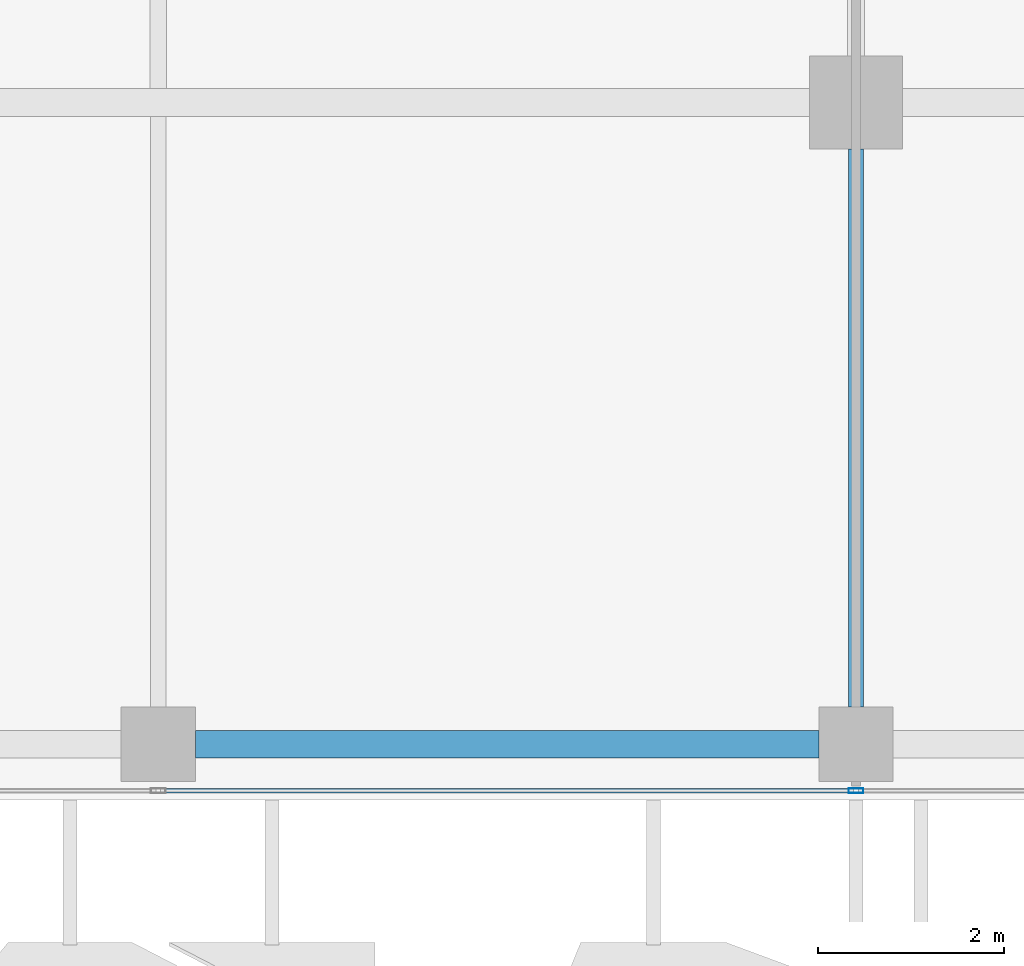
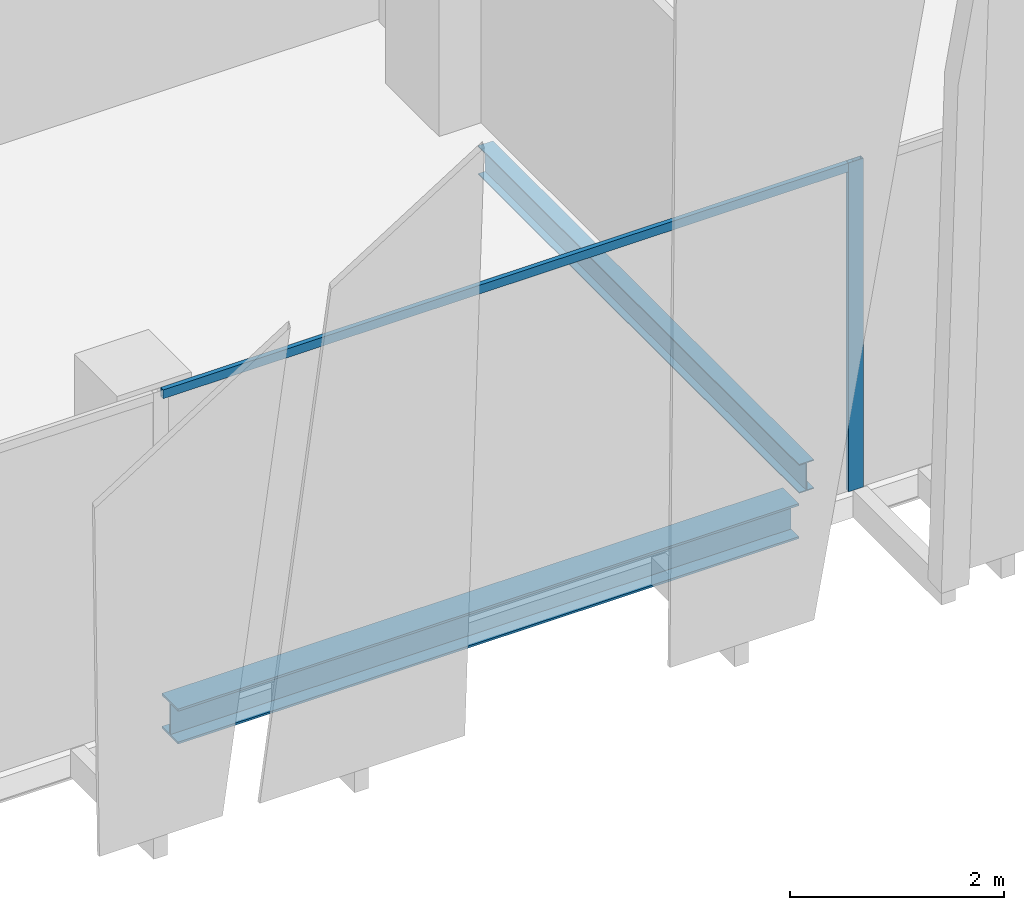
# One storey, part 6 of 33: 2 beams, 2 members, 1 element without a shape of its own.
"""IFC4 building model written with IfcOpenShell, lengths in metres."""

from ifc_helpers import new_model, si_unit, direction, frame, origin, origin_2d, place, context, subcontext, project, spatial, hollow_rectangle, i_section, extrude, source, transform, mapped, material, material_profile, profile_set, type_object, element, aggregate, save


model = new_model("IFC4")

# Units and contexts
model_context = context("Model", 3, precision=1e-05, world=origin(), true_north=direction((0.0, 1.0)))
body_context = subcontext(model_context, "Body", "Model", "MODEL_VIEW")
ifc_project = project(units=[si_unit("LENGTHUNIT", "METRE"), si_unit("AREAUNIT", "SQUARE_METRE"), si_unit("VOLUMEUNIT", "CUBIC_METRE"), si_unit("PLANEANGLEUNIT", "RADIAN"), si_unit("MASSUNIT", "GRAM", prefix="KILO")], contexts=[model_context])

# Site, building, storey
site_placement = place(None, origin())
site = spatial("IfcSite", under=ifc_project, at=site_placement, CompositionType="ELEMENT")
building_placement = place(site_placement, origin())
building = spatial("IfcBuilding", under=site, at=building_placement, Name="Khomas Fold Tower", CompositionType="ELEMENT")
storey_placement = place(building_placement, frame((0.0, 0.0, 294.199951171875)))
storey = spatial("IfcBuildingStorey", under=building, at=storey_placement, Name="L66", CompositionType="ELEMENT", Elevation=294.199951171875)

# Beams
ifc_material_1 = material(Name="Steel S355", Category="steel")
ifc_material_profile_1 = material_profile(ifc_material_1, i_section(OverallWidth=0.300048828125, OverallDepth=0.39990234375, WebThickness=0.013427734375, FlangeThickness=0.02392578125, at=origin_2d()), Name="HE 400 B")
ifc_profile_set_1 = profile_set([ifc_material_profile_1], Name="Steel S355")
beam_type_1 = type_object("IfcBeamType", Name="HE 400 B spandrel SB5", PredefinedType="SPANDREL", material=ifc_profile_set_1)
shared_shape_1 = source(origin(), body_context, "Body", "SweptSolid", [
    extrude(i_section(OverallWidth=0.300048828125, OverallDepth=0.39990234375, WebThickness=0.013427734375, FlangeThickness=0.02392578125, at=origin_2d()), origin(), (0.0, 0.0, 1.0), 6.7001953125),
])
beam_1_placement = place(storey_placement, frame((27.39990234375, 6.60009765625, -0.449951171875), z_axis=(1.0, 0.0, 0.0), x_axis=(0.0, 1.0, 0.0)))
element("IfcBeam", 1, at=beam_1_placement, inside=storey, type_object=beam_type_1, Name="SB5", PredefinedType="SPANDREL", context=body_context, shape_type="MappedRepresentation", body=[
    mapped(shared_shape_1, transform((0.0, 0.0, 0.0))),
])
ifc_material_2 = material(Name="Steel S355", Category="steel")
ifc_material_profile_2 = material_profile(ifc_material_2, i_section(OverallWidth=0.159912109375, OverallDepth=0.330078125, WebThickness=0.007568359375, FlangeThickness=0.011474609375, at=origin_2d()), Name="IPE 330")
ifc_profile_set_2 = profile_set([ifc_material_profile_2], Name="Steel S355")
beam_type_2 = type_object("IfcBeamType", Name="IPE 330 beam JB1", PredefinedType="BEAM", material=ifc_profile_set_2)
shared_shape_2 = source(origin(), body_context, "Body", "SweptSolid", [
    extrude(i_section(OverallWidth=0.159912109375, OverallDepth=0.330078125, WebThickness=0.007568359375, FlangeThickness=0.011474609375, at=origin_2d()), origin(), (0.0, 0.0, 1.0), 6.0),
])
beam_2_placement = place(storey_placement, frame((34.5, 7.0, -0.4150390625), z_axis=(0.0, 1.0, 0.0), x_axis=(-1.0, 0.0, 0.0)))
element("IfcBeam", 2, at=beam_2_placement, inside=storey, type_object=beam_type_2, Name="JB1", PredefinedType="BEAM", context=body_context, shape_type="MappedRepresentation", body=[
    mapped(shared_shape_2, transform((0.0, 0.0, 0.0))),
])

# Curtain wall, members
ifc_material_3 = material(Name="Aluminium framed double glazing", Category="aluminium")
curtain_wall_type = type_object("IfcCurtainWallType", Name="SK-Unitised clear-glass wall, upper floors CW3", PredefinedType="NOTDEFINED", material=ifc_material_3)
curtain_wall_placement = place(storey_placement, origin())
curtain_wall = element("IfcCurtainWall", 3, at=curtain_wall_placement, inside=storey, type_object=curtain_wall_type, Name="CW3 run L66 00-0", PredefinedType="NOTDEFINED")
ifc_material_4 = material(Name="Aluminium", Category="aluminium")
ifc_material_profile_3 = material_profile(ifc_material_4, hollow_rectangle(XDim=0.050048828125, YDim=0.159912109375, WallThickness=0.00390625, at=origin_2d()), Name="SK-Unitised clear-glass wall, upper floors mullion CW3-M")
ifc_profile_set_3 = profile_set([ifc_material_profile_3], Name="Aluminium")
member_type_1 = type_object("IfcMemberType", Name="SK-Unitised clear-glass wall, upper floors mullion CW3-M", PredefinedType="MULLION", material=ifc_profile_set_3)
shared_shape_3 = source(origin(), body_context, "Body", "SweptSolid", [
    extrude(hollow_rectangle(XDim=0.050048828125, YDim=0.159912109375, WallThickness=0.00390625, at=origin_2d()), origin(), (0.0, 0.0, 1.0), 3.75),
])
member_1_placement = place(storey_placement, frame((34.5, 6.10009765625, 0.0), z_axis=(0.0, 0.0, 1.0), x_axis=(0.0, 1.0, 0.0)))
member_1 = element("IfcMember", 4, at=member_1_placement, type_object=member_type_1, Name="CW3 mullion 5", PredefinedType="MULLION", context=body_context, shape_type="MappedRepresentation", body=[
    mapped(shared_shape_3, transform((0.0, 0.0, 0.0))),
])
ifc_material_5 = material(Name="Aluminium", Category="aluminium")
ifc_material_profile_4 = material_profile(ifc_material_5, hollow_rectangle(XDim=0.050048828125, YDim=0.10009765625, WallThickness=0.00390625, at=origin_2d()), Name="SK-Unitised clear-glass wall, upper floors transom CW3-T")
ifc_profile_set_4 = profile_set([ifc_material_profile_4], Name="Aluminium")
member_type_2 = type_object("IfcMemberType", Name="SK-Unitised clear-glass wall, upper floors transom CW3-T", PredefinedType="USERDEFINED", material=ifc_profile_set_4)
shared_shape_4 = source(origin(), body_context, "Body", "SweptSolid", [
    extrude(hollow_rectangle(XDim=0.050048828125, YDim=0.10009765625, WallThickness=0.00390625, at=origin_2d()), origin(), (0.0, 0.0, 1.0), 7.4501953125),
])
member_2_placement = place(storey_placement, frame((27.02490234375, 6.10009765625, 3.699951171875), z_axis=(1.0, 0.0, 0.0), x_axis=(0.0, 1.0, 0.0)))
member_2 = element("IfcMember", 5, at=member_2_placement, type_object=member_type_2, Name="CW3 transom 4", ObjectType="TRANSOM", PredefinedType="USERDEFINED", context=body_context, shape_type="MappedRepresentation", body=[
    mapped(shared_shape_4, transform((0.0, 0.0, 0.0))),
])
aggregate(curtain_wall, [member_1, member_2])

save(model, "model.ifc")
